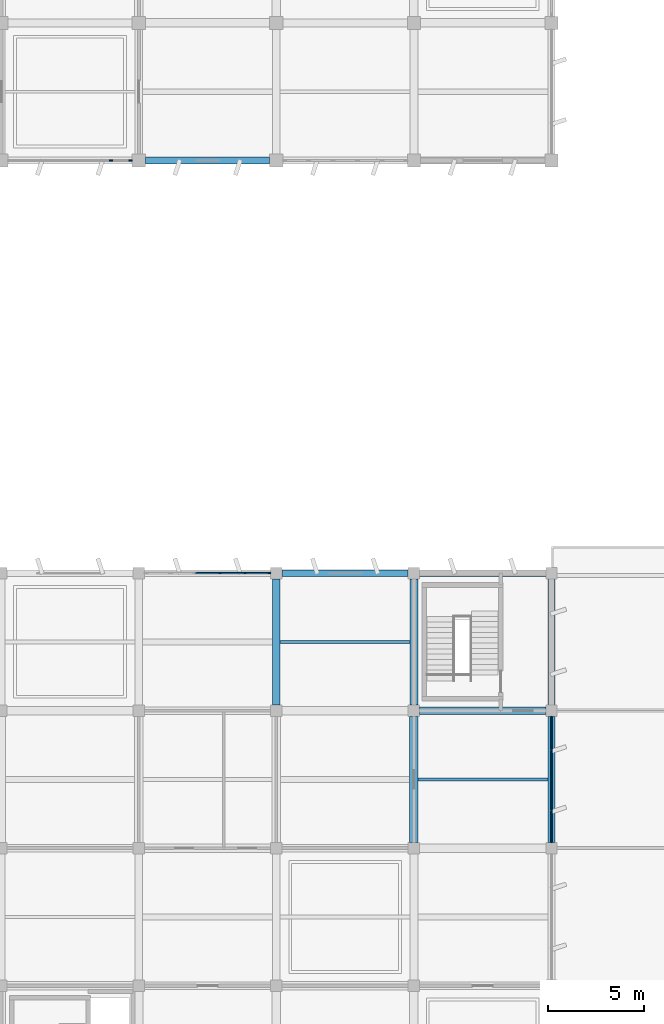
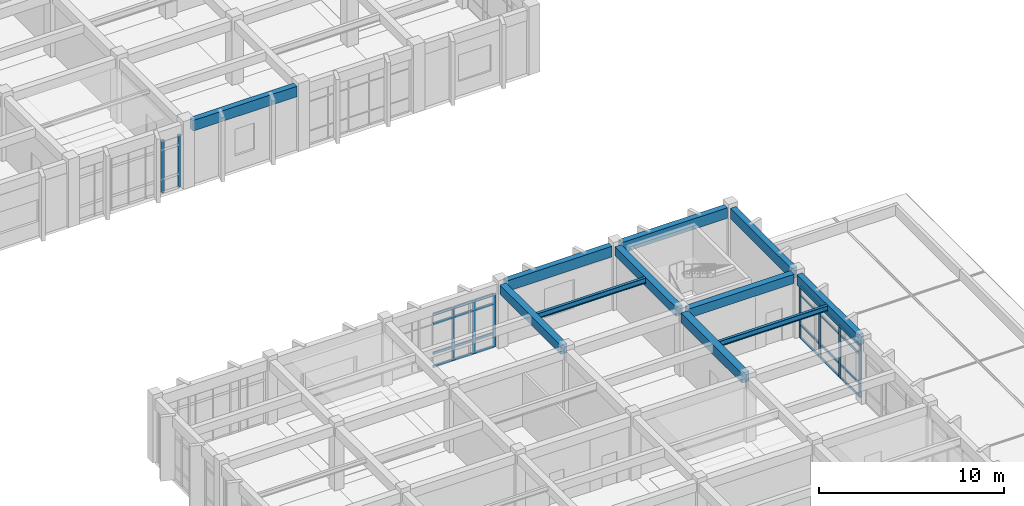
# One storey, part 30 of 81: 35 members, 9 beams, 3 elements without a shape of their own.
"""IFC4 building model written with IfcOpenShell, lengths in metres."""

from ifc_helpers import new_model, si_unit, direction, frame, origin, origin_2d, place, context, subcontext, project, spatial, rectangle, i_section, extrude, material, layer, layer_set, material_profile, profile_set, type_object, element, aggregate, save


model = new_model("IFC4")

# Units and contexts
model_context = context("Model", 3, precision=1e-05, world=origin(), true_north=direction((0.0, 1.0)))
body_context = subcontext(model_context, "Body", "Model", "MODEL_VIEW")
ifc_project = project(units=[si_unit("LENGTHUNIT", "METRE"), si_unit("AREAUNIT", "SQUARE_METRE"), si_unit("VOLUMEUNIT", "CUBIC_METRE"), si_unit("PLANEANGLEUNIT", "RADIAN"), si_unit("MASSUNIT", "GRAM", prefix="KILO")], contexts=[model_context])

# Site, building, storey
site_placement = place(None, origin())
site = spatial("IfcSite", under=ifc_project, at=site_placement, CompositionType="ELEMENT")
building_placement = place(site_placement, origin())
building = spatial("IfcBuilding", under=site, at=building_placement, Name="Kavelor Marine Aquarium", CompositionType="ELEMENT")
storey_placement = place(building_placement, frame((0.0, 0.0, 4.679931640625)))
storey = spatial("IfcBuildingStorey", under=building, at=storey_placement, Name="L01", CompositionType="ELEMENT", Elevation=4.679931640625)

# Beams
ifc_material_1 = material(Name="Concrete C40/50", Category="concrete")
ifc_material_profile_1 = material_profile(ifc_material_1, rectangle(XDim=0.449951171875, YDim=0.64990234375, at=origin_2d()), Name="RC-BM 450x650")
ifc_profile_set_1 = profile_set([ifc_material_profile_1], Name="Concrete C40/50")
beam_type_1 = type_object("IfcBeamType", Name="BM-B3", PredefinedType="BEAM", material=ifc_profile_set_1)
beam_1_placement = place(storey_placement, frame((147.199951171875, 17.5, 3.875), z_axis=(0.0, 1.0, 0.0), x_axis=(-1.0, 0.0, 0.0)))
element("IfcBeam", 1, at=beam_1_placement, inside=storey, type_object=beam_type_1, Name="bm:y:L01:L02:20_02", PredefinedType="BEAM", context=body_context, shape_type="SweptSolid", body=[
    extrude(rectangle(XDim=0.449951171875, YDim=0.64990234375, at=origin_2d()), origin(), (0.0, 0.0, 1.0), 6.60009765625),
])
ifc_material_2 = material(Name="Concrete C40/50", Category="concrete")
ifc_material_profile_2 = material_profile(ifc_material_2, rectangle(XDim=0.39990234375, YDim=0.60009765625, at=origin_2d()), Name="RC-BM 400x600")
ifc_profile_set_2 = profile_set([ifc_material_profile_2], Name="Concrete C40/50")
beam_type_2 = type_object("IfcBeamType", Name="BM-B4", PredefinedType="BEAM", material=ifc_profile_set_2)
for number, where, z_axis, x_axis, name in (
    (2, (147.5, 24.39990234375, 3.900146484375), (1.0, 0.0, 0.0), (0.0, 1.0, 0.0), "bm:x:L01:L02:20_03"),
    (3, (140.0, 24.699951171875, 3.900146484375), (0.0, 1.0, 0.0), (-1.0, 0.0, 0.0), "bm:y:L01:L02:19_03"),
    (4, (147.199951171875, 24.699951171875, 3.900146484375), (0.0, 1.0, 0.0), (-1.0, 0.0, 0.0), "bm:y:L01:L02:20_03"),
):
    element("IfcBeam", number, at=place(storey_placement, frame(where, z_axis=z_axis, x_axis=x_axis)), inside=storey, type_object=beam_type_2, Name=name, PredefinedType="BEAM", context=body_context, shape_type="SweptSolid", body=[
        extrude(rectangle(XDim=0.39990234375, YDim=0.60009765625, at=origin_2d()), origin(), (0.0, 0.0, 1.0), 6.60009765625),
    ])
ifc_material_3 = material(Name="Concrete C40/50", Category="concrete")
ifc_material_profile_3 = material_profile(ifc_material_3, rectangle(XDim=0.35009765625, YDim=0.699951171875, at=origin_2d()), Name="RC-SP 350x700")
ifc_profile_set_3 = profile_set([ifc_material_profile_3], Name="Concrete C40/50")
beam_type_3 = type_object("IfcBeamType", Name="BM-SP1", PredefinedType="SPANDREL", material=ifc_profile_set_3)
beam_2_placement = place(storey_placement, frame((133.14990234375, 53.199951171875, 3.8701171875), z_axis=(1.0, 0.0, 0.0), x_axis=(0.0, 1.0, 0.0)))
element("IfcBeam", 5, at=beam_2_placement, inside=storey, type_object=beam_type_3, Name="bm:x:L01:L02:18_07", PredefinedType="SPANDREL", context=body_context, shape_type="SweptSolid", body=[
    extrude(rectangle(XDim=0.35009765625, YDim=0.699951171875, at=origin_2d()), origin(), (0.0, 0.0, 1.0), 6.5),
])
beam_3_placement = place(storey_placement, frame((140.300048828125, 31.60009765625, 3.85009765625), z_axis=(1.0, 0.0, 0.0), x_axis=(0.0, 1.0, 0.0)))
element("IfcBeam", 6, at=beam_3_placement, inside=storey, type_object=beam_type_3, Name="bm:x:L01:L02:19_04", PredefinedType="SPANDREL", context=body_context, shape_type="SweptSolid", body=[
    extrude(rectangle(XDim=0.35009765625, YDim=0.699951171875, at=origin_2d()), origin(), (0.0, 0.0, 1.0), 6.599853515625),
])
for number, where, z_axis, x_axis, name in (
    (7, (147.5, 31.60009765625, 3.8701171875), (1.0, 0.0, 0.0), (0.0, 1.0, 0.0), "bm:x:L01:L02:20_04"),
    (8, (154.39990234375, 17.5, 3.85009765625), (0.0, 1.0, 0.0), (-1.0, 0.0, 0.0), "bm:y:L01:L02:21_02"),
    (9, (154.39990234375, 24.699951171875, 3.8701171875), (0.0, 1.0, 0.0), (-1.0, 0.0, 0.0), "bm:y:L01:L02:21_03"),
):
    element("IfcBeam", number, at=place(storey_placement, frame(where, z_axis=z_axis, x_axis=x_axis)), inside=storey, type_object=beam_type_3, Name=name, PredefinedType="SPANDREL", context=body_context, shape_type="SweptSolid", body=[
        extrude(rectangle(XDim=0.35009765625, YDim=0.699951171875, at=origin_2d()), origin(), (0.0, 0.0, 1.0), 6.60009765625),
    ])

# Curtain wall, members
ifc_material_4 = material(Name="Thermally Broken Aluminium and Low-E Glass", Category="aluminium")
ifc_layer_1 = layer(ifc_material_4, 0.179931640625)
ifc_layer_set_1 = layer_set([ifc_layer_1], Name="CW-SYS5")
curtain_wall_type_1 = type_object("IfcCurtainWallType", Name="CW-SYS5", PredefinedType="USERDEFINED", material=ifc_layer_set_1)
curtain_wall_1_placement = place(storey_placement, origin())
curtain_wall_1 = element("IfcCurtainWall", 10, at=curtain_wall_1_placement, inside=storey, type_object=curtain_wall_type_1, Name="cw:x:L01:17_07", ObjectType="Curtain Wall", PredefinedType="USERDEFINED")
ifc_material_5 = material(Name="Anodised Aluminium Alloy 6063-T6", Category="aluminium")
ifc_material_profile_4 = material_profile(ifc_material_5, rectangle(XDim=0.080078125, YDim=0.18505859375, at=origin_2d()), Name="CW-MUL 80x185")
ifc_profile_set_4 = profile_set([ifc_material_profile_4], Name="Anodised Aluminium Alloy 6063-T6")
member_type_1 = type_object("IfcMemberType", Name="CWM-2", PredefinedType="MULLION", material=ifc_profile_set_4)
member_1_placement = place(storey_placement, frame((132.37255859375, 53.199951171875, 0.0), z_axis=(0.0, 0.0, 1.0), x_axis=(0.0, -1.0, 0.0)))
member_1 = element("IfcMember", 11, at=member_1_placement, type_object=member_type_1, Name="CW05 mullion 1", PredefinedType="MULLION", context=body_context, shape_type="SweptSolid", body=[
    extrude(rectangle(XDim=0.080078125, YDim=0.18505859375, at=origin_2d()), origin(), (0.0, 0.0, 1.0), 3.489990234375),
])
member_2_placement = place(storey_placement, frame((131.336669921875, 53.199951171875, 0.0), z_axis=(0.0, 0.0, 1.0), x_axis=(0.0, -1.0, 0.0)))
member_2 = element("IfcMember", 12, at=member_2_placement, type_object=member_type_1, Name="CW05 mullion 2", PredefinedType="MULLION", context=body_context, shape_type="SweptSolid", body=[
    extrude(rectangle(XDim=0.080078125, YDim=0.18505859375, at=origin_2d()), origin(), (0.0, 0.0, 1.0), 3.489990234375),
])
aggregate(curtain_wall_1, [member_1, member_2])

ifc_material_6 = material(Name="Thermally Broken Aluminium and Low-E Glass", Category="aluminium")
ifc_layer_2 = layer(ifc_material_6, 0.2041015625)
ifc_layer_set_2 = layer_set([ifc_layer_2], Name="CW-SYS8")
curtain_wall_type_2 = type_object("IfcCurtainWallType", Name="CW-SYS8", PredefinedType="USERDEFINED", material=ifc_layer_set_2)
curtain_wall_2_placement = place(storey_placement, origin())
curtain_wall_2 = element("IfcCurtainWall", 13, at=curtain_wall_2_placement, inside=storey, type_object=curtain_wall_type_2, Name="cw:x:L01:18_04", ObjectType="Curtain Wall", PredefinedType="USERDEFINED")
member_3_placement = place(storey_placement, frame((137.051025390625, 31.60009765625, 0.0), z_axis=(0.0, 0.0, 1.0), x_axis=(0.0, 1.0, 0.0)))
member_3 = element("IfcMember", 14, at=member_3_placement, type_object=member_type_1, Name="CW08 mullion 4", PredefinedType="MULLION", context=body_context, shape_type="SweptSolid", body=[
    extrude(rectangle(XDim=0.080078125, YDim=0.18505859375, at=origin_2d()), origin(), (0.0, 0.0, 1.0), 3.510009765625),
])
member_4_placement = place(storey_placement, frame((138.35302734375, 31.60009765625, 0.0), z_axis=(0.0, 0.0, 1.0), x_axis=(0.0, 1.0, 0.0)))
member_4 = element("IfcMember", 15, at=member_4_placement, type_object=member_type_1, Name="CW08 mullion 5", PredefinedType="MULLION", context=body_context, shape_type="SweptSolid", body=[
    extrude(rectangle(XDim=0.080078125, YDim=0.18505859375, at=origin_2d()), origin(), (0.0, 0.0, 1.0), 3.510009765625),
])
member_5_placement = place(storey_placement, frame((139.62255859375, 31.60009765625, 0.0), z_axis=(0.0, 0.0, 1.0), x_axis=(0.0, 1.0, 0.0)))
member_5 = element("IfcMember", 16, at=member_5_placement, type_object=member_type_1, Name="CW08 mullion 6", PredefinedType="MULLION", context=body_context, shape_type="SweptSolid", body=[
    extrude(rectangle(XDim=0.080078125, YDim=0.18505859375, at=origin_2d()), origin(), (0.0, 0.0, 1.0), 3.510009765625),
])

ifc_material_7 = material(Name="Thermally Broken Aluminium and Low-E Glass", Category="aluminium")
ifc_layer_3 = layer(ifc_material_7, 0.283935546875)
ifc_layer_set_3 = layer_set([ifc_layer_3], Name="CW-SYS18")
curtain_wall_type_3 = type_object("IfcCurtainWallType", Name="CW-SYS18", PredefinedType="USERDEFINED", material=ifc_layer_set_3)
curtain_wall_3_placement = place(storey_placement, origin())
curtain_wall_3 = element("IfcCurtainWall", 17, at=curtain_wall_3_placement, inside=storey, type_object=curtain_wall_type_3, Name="cw:y:L01:21_02", ObjectType="Curtain Wall", PredefinedType="USERDEFINED")
ifc_material_8 = material(Name="Anodised Aluminium Alloy 6063-T6", Category="aluminium")
ifc_material_profile_5 = material_profile(ifc_material_8, rectangle(XDim=0.0849609375, YDim=0.18994140625, at=origin_2d()), Name="CW-MUL 85x190")
ifc_profile_set_5 = profile_set([ifc_material_profile_5], Name="Anodised Aluminium Alloy 6063-T6")
member_type_2 = type_object("IfcMemberType", Name="CWM-3", PredefinedType="MULLION", material=ifc_profile_set_5)
member_6_placement = place(storey_placement, frame((154.39990234375, 17.574951171875, 0.0), z_axis=(0.0, 0.0, 1.0), x_axis=(-1.0, 0.0, 0.0)))
member_6 = element("IfcMember", 18, at=member_6_placement, type_object=member_type_2, Name="CW18 mullion 1", PredefinedType="MULLION", context=body_context, shape_type="SweptSolid", body=[
    extrude(rectangle(XDim=0.0849609375, YDim=0.18994140625, at=origin_2d()), origin(), (0.0, 0.0, 1.0), 3.489990234375),
])
member_7_placement = place(storey_placement, frame((154.39990234375, 19.715087890625, 0.0), z_axis=(0.0, 0.0, 1.0), x_axis=(-1.0, 0.0, 0.0)))
member_7 = element("IfcMember", 19, at=member_7_placement, type_object=member_type_2, Name="CW18 mullion 2", PredefinedType="MULLION", context=body_context, shape_type="SweptSolid", body=[
    extrude(rectangle(XDim=0.0849609375, YDim=0.18994140625, at=origin_2d()), origin(), (0.0, 0.0, 1.0), 3.489990234375),
])
member_8_placement = place(storey_placement, frame((154.39990234375, 21.885009765625, 0.0), z_axis=(0.0, 0.0, 1.0), x_axis=(-1.0, 0.0, 0.0)))
member_8 = element("IfcMember", 20, at=member_8_placement, type_object=member_type_2, Name="CW18 mullion 3", PredefinedType="MULLION", context=body_context, shape_type="SweptSolid", body=[
    extrude(rectangle(XDim=0.0849609375, YDim=0.18994140625, at=origin_2d()), origin(), (0.0, 0.0, 1.0), 3.489990234375),
])
member_9_placement = place(storey_placement, frame((154.39990234375, 24.02490234375, 0.0), z_axis=(0.0, 0.0, 1.0), x_axis=(-1.0, 0.0, 0.0)))
member_9 = element("IfcMember", 21, at=member_9_placement, type_object=member_type_2, Name="CW18 mullion 4", PredefinedType="MULLION", context=body_context, shape_type="SweptSolid", body=[
    extrude(rectangle(XDim=0.0849609375, YDim=0.18994140625, at=origin_2d()), origin(), (0.0, 0.0, 1.0), 3.489990234375),
])
ifc_material_9 = material(Name="Anodised Aluminium Alloy 6063-T6", Category="aluminium")
ifc_material_profile_6 = material_profile(ifc_material_9, rectangle(XDim=0.074951171875, YDim=0.14990234375, at=origin_2d()), Name="CW-TRN 75x150")
ifc_profile_set_6 = profile_set([ifc_material_profile_6], Name="Anodised Aluminium Alloy 6063-T6")
member_type_3 = type_object("IfcMemberType", Name="CWT-1", PredefinedType="USERDEFINED", material=ifc_profile_set_6)
member_10_placement = place(storey_placement, frame((154.39990234375, 17.60498046875, 0.03759765625), z_axis=(0.0, 1.0, 0.0), x_axis=(-1.0, 0.0, 0.0)))
member_10 = element("IfcMember", 22, at=member_10_placement, type_object=member_type_3, Name="CW18 transom 1.1", ObjectType="TRANSOM", PredefinedType="USERDEFINED", context=body_context, shape_type="SweptSolid", body=[
    extrude(rectangle(XDim=0.074951171875, YDim=0.14990234375, at=origin_2d()), origin(), (0.0, 0.0, 1.0), 2.080078125),
])
member_11_placement = place(storey_placement, frame((154.39990234375, 17.60498046875, 0.900146484375), z_axis=(0.0, 1.0, 0.0), x_axis=(-1.0, 0.0, 0.0)))
member_11 = element("IfcMember", 23, at=member_11_placement, type_object=member_type_3, Name="CW18 transom 1.2", ObjectType="TRANSOM", PredefinedType="USERDEFINED", context=body_context, shape_type="SweptSolid", body=[
    extrude(rectangle(XDim=0.074951171875, YDim=0.14990234375, at=origin_2d()), origin(), (0.0, 0.0, 1.0), 2.080078125),
])
member_12_placement = place(storey_placement, frame((154.39990234375, 17.60498046875, 2.840087890625), z_axis=(0.0, 1.0, 0.0), x_axis=(-1.0, 0.0, 0.0)))
member_12 = element("IfcMember", 24, at=member_12_placement, type_object=member_type_3, Name="CW18 transom 1.3", ObjectType="TRANSOM", PredefinedType="USERDEFINED", context=body_context, shape_type="SweptSolid", body=[
    extrude(rectangle(XDim=0.074951171875, YDim=0.14990234375, at=origin_2d()), origin(), (0.0, 0.0, 1.0), 2.080078125),
])
member_13_placement = place(storey_placement, frame((154.39990234375, 17.60498046875, 3.45263671875), z_axis=(0.0, 1.0, 0.0), x_axis=(-1.0, 0.0, 0.0)))
member_13 = element("IfcMember", 25, at=member_13_placement, type_object=member_type_3, Name="CW18 transom 1.4", ObjectType="TRANSOM", PredefinedType="USERDEFINED", context=body_context, shape_type="SweptSolid", body=[
    extrude(rectangle(XDim=0.074951171875, YDim=0.14990234375, at=origin_2d()), origin(), (0.0, 0.0, 1.0), 2.080078125),
])
member_14_placement = place(storey_placement, frame((154.39990234375, 19.7451171875, 0.03759765625), z_axis=(0.0, 1.0, 0.0), x_axis=(-1.0, 0.0, 0.0)))
member_14 = element("IfcMember", 26, at=member_14_placement, type_object=member_type_3, Name="CW18 transom 2.1", ObjectType="TRANSOM", PredefinedType="USERDEFINED", context=body_context, shape_type="SweptSolid", body=[
    extrude(rectangle(XDim=0.074951171875, YDim=0.14990234375, at=origin_2d()), origin(), (0.0, 0.0, 1.0), 2.10986328125),
])
member_15_placement = place(storey_placement, frame((154.39990234375, 19.7451171875, 0.900146484375), z_axis=(0.0, 1.0, 0.0), x_axis=(-1.0, 0.0, 0.0)))
member_15 = element("IfcMember", 27, at=member_15_placement, type_object=member_type_3, Name="CW18 transom 2.2", ObjectType="TRANSOM", PredefinedType="USERDEFINED", context=body_context, shape_type="SweptSolid", body=[
    extrude(rectangle(XDim=0.074951171875, YDim=0.14990234375, at=origin_2d()), origin(), (0.0, 0.0, 1.0), 2.10986328125),
])
member_16_placement = place(storey_placement, frame((154.39990234375, 19.7451171875, 2.840087890625), z_axis=(0.0, 1.0, 0.0), x_axis=(-1.0, 0.0, 0.0)))
member_16 = element("IfcMember", 28, at=member_16_placement, type_object=member_type_3, Name="CW18 transom 2.3", ObjectType="TRANSOM", PredefinedType="USERDEFINED", context=body_context, shape_type="SweptSolid", body=[
    extrude(rectangle(XDim=0.074951171875, YDim=0.14990234375, at=origin_2d()), origin(), (0.0, 0.0, 1.0), 2.10986328125),
])
member_17_placement = place(storey_placement, frame((154.39990234375, 19.7451171875, 3.45263671875), z_axis=(0.0, 1.0, 0.0), x_axis=(-1.0, 0.0, 0.0)))
member_17 = element("IfcMember", 29, at=member_17_placement, type_object=member_type_3, Name="CW18 transom 2.4", ObjectType="TRANSOM", PredefinedType="USERDEFINED", context=body_context, shape_type="SweptSolid", body=[
    extrude(rectangle(XDim=0.074951171875, YDim=0.14990234375, at=origin_2d()), origin(), (0.0, 0.0, 1.0), 2.10986328125),
])
member_18_placement = place(storey_placement, frame((154.39990234375, 21.9150390625, 0.03759765625), z_axis=(0.0, 1.0, 0.0), x_axis=(-1.0, 0.0, 0.0)))
member_18 = element("IfcMember", 30, at=member_18_placement, type_object=member_type_3, Name="CW18 transom 3.1", ObjectType="TRANSOM", PredefinedType="USERDEFINED", context=body_context, shape_type="SweptSolid", body=[
    extrude(rectangle(XDim=0.074951171875, YDim=0.14990234375, at=origin_2d()), origin(), (0.0, 0.0, 1.0), 2.080078125),
])
member_19_placement = place(storey_placement, frame((154.39990234375, 21.9150390625, 0.900146484375), z_axis=(0.0, 1.0, 0.0), x_axis=(-1.0, 0.0, 0.0)))
member_19 = element("IfcMember", 31, at=member_19_placement, type_object=member_type_3, Name="CW18 transom 3.2", ObjectType="TRANSOM", PredefinedType="USERDEFINED", context=body_context, shape_type="SweptSolid", body=[
    extrude(rectangle(XDim=0.074951171875, YDim=0.14990234375, at=origin_2d()), origin(), (0.0, 0.0, 1.0), 2.080078125),
])
member_20_placement = place(storey_placement, frame((154.39990234375, 21.9150390625, 2.840087890625), z_axis=(0.0, 1.0, 0.0), x_axis=(-1.0, 0.0, 0.0)))
member_20 = element("IfcMember", 32, at=member_20_placement, type_object=member_type_3, Name="CW18 transom 3.3", ObjectType="TRANSOM", PredefinedType="USERDEFINED", context=body_context, shape_type="SweptSolid", body=[
    extrude(rectangle(XDim=0.074951171875, YDim=0.14990234375, at=origin_2d()), origin(), (0.0, 0.0, 1.0), 2.080078125),
])
member_21_placement = place(storey_placement, frame((154.39990234375, 21.9150390625, 3.45263671875), z_axis=(0.0, 1.0, 0.0), x_axis=(-1.0, 0.0, 0.0)))
member_21 = element("IfcMember", 33, at=member_21_placement, type_object=member_type_3, Name="CW18 transom 3.4", ObjectType="TRANSOM", PredefinedType="USERDEFINED", context=body_context, shape_type="SweptSolid", body=[
    extrude(rectangle(XDim=0.074951171875, YDim=0.14990234375, at=origin_2d()), origin(), (0.0, 0.0, 1.0), 2.080078125),
])
aggregate(curtain_wall_3, [member_6, member_7, member_8, member_9, member_10, member_11, member_12, member_13, member_14, member_15, member_16, member_17, member_18, member_19, member_20, member_21])

# Member
ifc_material_10 = material(Name="Anodised Aluminium Alloy 6063-T6", Category="aluminium")
ifc_material_profile_7 = material_profile(ifc_material_10, rectangle(XDim=0.080078125, YDim=0.155029296875, at=origin_2d()), Name="CW-TRN 80x155")
ifc_profile_set_7 = profile_set([ifc_material_profile_7], Name="Anodised Aluminium Alloy 6063-T6")
member_type_4 = type_object("IfcMemberType", Name="CWT-2", PredefinedType="USERDEFINED", material=ifc_profile_set_7)
member_22_placement = place(storey_placement, frame((135.781494140625, 31.60009765625, 0.032470703125), z_axis=(1.0, 0.0, 0.0), x_axis=(0.0, 1.0, 0.0)))
member_22 = element("IfcMember", 34, at=member_22_placement, type_object=member_type_4, Name="CW08 transom 3.1", ObjectType="TRANSOM", PredefinedType="USERDEFINED", context=body_context, shape_type="SweptSolid", body=[
    extrude(rectangle(XDim=0.080078125, YDim=0.155029296875, at=origin_2d()), origin(), (0.0, 0.0, 1.0), 1.237060546875),
])

member_23_placement = place(storey_placement, frame((135.781494140625, 31.60009765625, 0.900146484375), z_axis=(1.0, 0.0, 0.0), x_axis=(0.0, 1.0, 0.0)))
member_23 = element("IfcMember", 35, at=member_23_placement, type_object=member_type_4, Name="CW08 transom 3.2", ObjectType="TRANSOM", PredefinedType="USERDEFINED", context=body_context, shape_type="SweptSolid", body=[
    extrude(rectangle(XDim=0.080078125, YDim=0.155029296875, at=origin_2d()), origin(), (0.0, 0.0, 1.0), 1.237060546875),
])

member_24_placement = place(storey_placement, frame((135.781494140625, 31.60009765625, 2.860107421875), z_axis=(1.0, 0.0, 0.0), x_axis=(0.0, 1.0, 0.0)))
member_24 = element("IfcMember", 36, at=member_24_placement, type_object=member_type_4, Name="CW08 transom 3.3", ObjectType="TRANSOM", PredefinedType="USERDEFINED", context=body_context, shape_type="SweptSolid", body=[
    extrude(rectangle(XDim=0.080078125, YDim=0.155029296875, at=origin_2d()), origin(), (0.0, 0.0, 1.0), 1.237060546875),
])

member_25_placement = place(storey_placement, frame((135.781494140625, 31.60009765625, 3.4775390625), z_axis=(1.0, 0.0, 0.0), x_axis=(0.0, 1.0, 0.0)))
member_25 = element("IfcMember", 37, at=member_25_placement, type_object=member_type_4, Name="CW08 transom 3.4", ObjectType="TRANSOM", PredefinedType="USERDEFINED", context=body_context, shape_type="SweptSolid", body=[
    extrude(rectangle(XDim=0.080078125, YDim=0.155029296875, at=origin_2d()), origin(), (0.0, 0.0, 1.0), 1.237060546875),
])

member_26_placement = place(storey_placement, frame((137.08349609375, 31.60009765625, 0.032470703125), z_axis=(1.0, 0.0, 0.0), x_axis=(0.0, 1.0, 0.0)))
member_26 = element("IfcMember", 38, at=member_26_placement, type_object=member_type_4, Name="CW08 transom 4.1", ObjectType="TRANSOM", PredefinedType="USERDEFINED", context=body_context, shape_type="SweptSolid", body=[
    extrude(rectangle(XDim=0.080078125, YDim=0.155029296875, at=origin_2d()), origin(), (0.0, 0.0, 1.0), 1.237060546875),
])

member_27_placement = place(storey_placement, frame((137.08349609375, 31.60009765625, 0.900146484375), z_axis=(1.0, 0.0, 0.0), x_axis=(0.0, 1.0, 0.0)))
member_27 = element("IfcMember", 39, at=member_27_placement, type_object=member_type_4, Name="CW08 transom 4.2", ObjectType="TRANSOM", PredefinedType="USERDEFINED", context=body_context, shape_type="SweptSolid", body=[
    extrude(rectangle(XDim=0.080078125, YDim=0.155029296875, at=origin_2d()), origin(), (0.0, 0.0, 1.0), 1.237060546875),
])

member_28_placement = place(storey_placement, frame((137.08349609375, 31.60009765625, 2.860107421875), z_axis=(1.0, 0.0, 0.0), x_axis=(0.0, 1.0, 0.0)))
member_28 = element("IfcMember", 40, at=member_28_placement, type_object=member_type_4, Name="CW08 transom 4.3", ObjectType="TRANSOM", PredefinedType="USERDEFINED", context=body_context, shape_type="SweptSolid", body=[
    extrude(rectangle(XDim=0.080078125, YDim=0.155029296875, at=origin_2d()), origin(), (0.0, 0.0, 1.0), 1.237060546875),
])

member_29_placement = place(storey_placement, frame((137.08349609375, 31.60009765625, 3.4775390625), z_axis=(1.0, 0.0, 0.0), x_axis=(0.0, 1.0, 0.0)))
member_29 = element("IfcMember", 41, at=member_29_placement, type_object=member_type_4, Name="CW08 transom 4.4", ObjectType="TRANSOM", PredefinedType="USERDEFINED", context=body_context, shape_type="SweptSolid", body=[
    extrude(rectangle(XDim=0.080078125, YDim=0.155029296875, at=origin_2d()), origin(), (0.0, 0.0, 1.0), 1.237060546875),
])

member_30_placement = place(storey_placement, frame((138.385498046875, 31.60009765625, 0.032470703125), z_axis=(1.0, 0.0, 0.0), x_axis=(0.0, 1.0, 0.0)))
member_30 = element("IfcMember", 42, at=member_30_placement, type_object=member_type_4, Name="CW08 transom 5.1", ObjectType="TRANSOM", PredefinedType="USERDEFINED", context=body_context, shape_type="SweptSolid", body=[
    extrude(rectangle(XDim=0.080078125, YDim=0.155029296875, at=origin_2d()), origin(), (0.0, 0.0, 1.0), 1.20458984375),
])

member_31_placement = place(storey_placement, frame((138.385498046875, 31.60009765625, 0.900146484375), z_axis=(1.0, 0.0, 0.0), x_axis=(0.0, 1.0, 0.0)))
member_31 = element("IfcMember", 43, at=member_31_placement, type_object=member_type_4, Name="CW08 transom 5.2", ObjectType="TRANSOM", PredefinedType="USERDEFINED", context=body_context, shape_type="SweptSolid", body=[
    extrude(rectangle(XDim=0.080078125, YDim=0.155029296875, at=origin_2d()), origin(), (0.0, 0.0, 1.0), 1.20458984375),
])

member_32_placement = place(storey_placement, frame((138.385498046875, 31.60009765625, 2.860107421875), z_axis=(1.0, 0.0, 0.0), x_axis=(0.0, 1.0, 0.0)))
member_32 = element("IfcMember", 44, at=member_32_placement, type_object=member_type_4, Name="CW08 transom 5.3", ObjectType="TRANSOM", PredefinedType="USERDEFINED", context=body_context, shape_type="SweptSolid", body=[
    extrude(rectangle(XDim=0.080078125, YDim=0.155029296875, at=origin_2d()), origin(), (0.0, 0.0, 1.0), 1.20458984375),
])

member_33_placement = place(storey_placement, frame((138.385498046875, 31.60009765625, 3.4775390625), z_axis=(1.0, 0.0, 0.0), x_axis=(0.0, 1.0, 0.0)))
member_33 = element("IfcMember", 45, at=member_33_placement, type_object=member_type_4, Name="CW08 transom 5.4", ObjectType="TRANSOM", PredefinedType="USERDEFINED", context=body_context, shape_type="SweptSolid", body=[
    extrude(rectangle(XDim=0.080078125, YDim=0.155029296875, at=origin_2d()), origin(), (0.0, 0.0, 1.0), 1.20458984375),
])

aggregate(curtain_wall_2, [member_3, member_4, member_5, member_22, member_23, member_24, member_25, member_26, member_27, member_28, member_29, member_30, member_31, member_32, member_33])

# Members
ifc_material_11 = material(Name="Steel S355", Category="steel")
ifc_material_profile_8 = material_profile(ifc_material_11, i_section(OverallWidth=0.169921875, OverallDepth=0.360107421875, WebThickness=0.008056640625, FlangeThickness=0.0126953125, FilletRadius=0.01806640625, at=origin_2d()), Name="IPE 360")
ifc_profile_set_8 = profile_set([ifc_material_profile_8], Name="Steel S355")
member_type_5 = type_object("IfcMemberType", Name="PR-SJ3", PredefinedType="PURLIN", material=ifc_profile_set_8)
for number, where, z_axis, x_axis, name in (
    (46, (140.199951171875, 28.0, 4.02001953125), (1.0, 0.0, 0.0), (0.0, 1.0, 0.0), "js:L01:L02:19_03"),
    (47, (147.425048828125, 20.800048828125, 4.02001953125), (1.0, 0.0, 0.0), (0.0, 1.0, 0.0), "js:L01:L02:20_02"),
):
    element("IfcMember", number, at=place(storey_placement, frame(where, z_axis=z_axis, x_axis=x_axis)), inside=storey, type_object=member_type_5, Name=name, PredefinedType="PURLIN", context=body_context, shape_type="SweptSolid", body=[
        extrude(i_section(OverallWidth=0.169921875, OverallDepth=0.360107421875, WebThickness=0.008056640625, FlangeThickness=0.0126953125, FilletRadius=0.01806640625, at=origin_2d()), origin(), (0.0, 0.0, 1.0), 6.800048828125),
    ])

save(model, "model.ifc")
